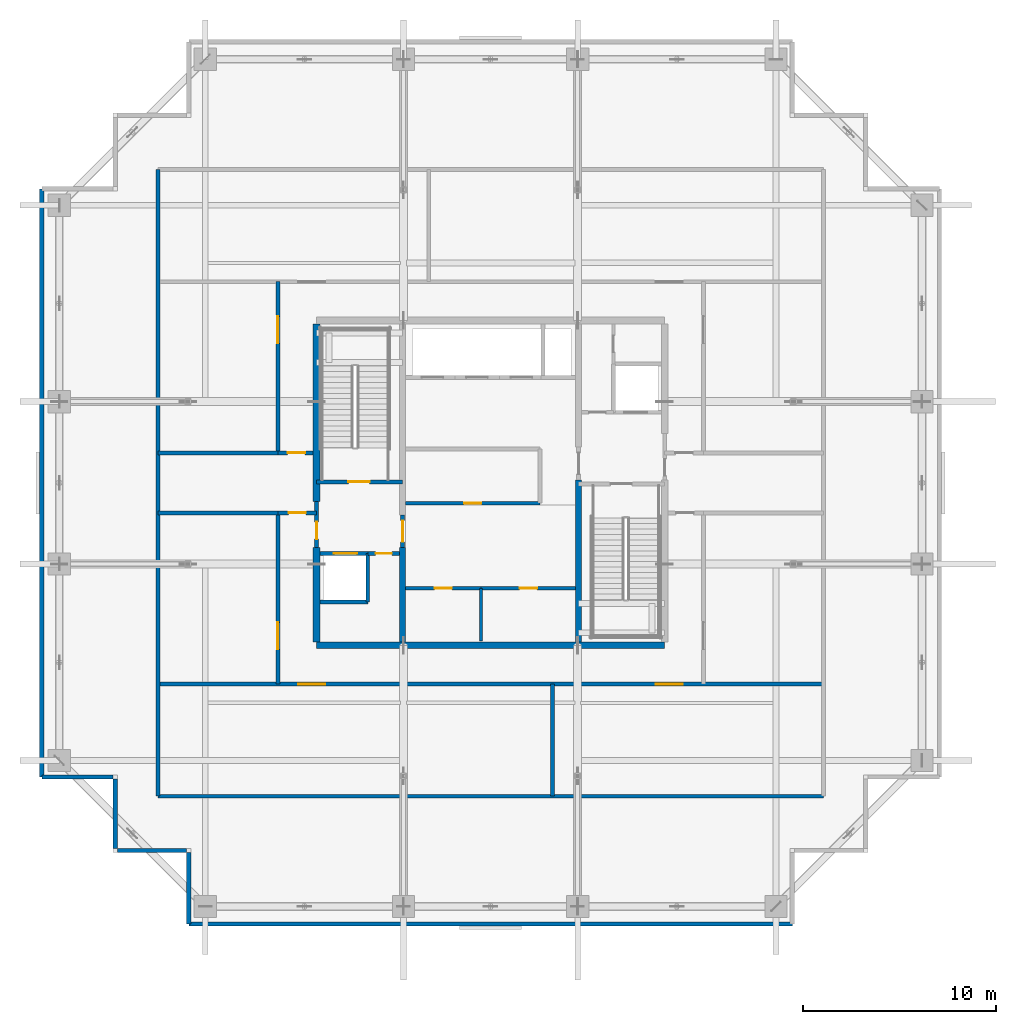
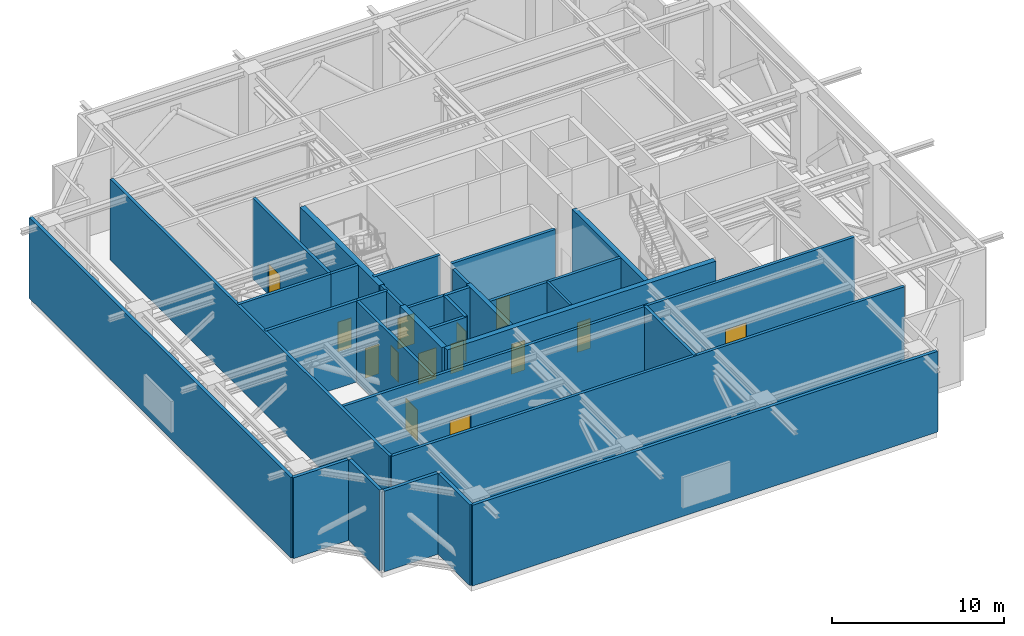
# One storey, part 15 of 22: 32 walls, 14 doors, 14 openings.
"""IFC4 building model written with IfcOpenShell, lengths in metres."""

import ifcopenshell
import ifcopenshell.guid

model = None  # the IFC model being written
_history = None  # IfcOwnerHistory: only IFC2X3 demands one
_inside = {}  # id of a spatial element -> (the spatial element, [elements in it])
_under = {}  # id of a project, library or spatial element -> (it, [spatial elements below it])
_declared = {}  # id of a project -> (the project, [libraries it declares])
_typed = {}  # id of a type object -> (the type object, [elements of that type])
_made_of = {}  # id of a material, layer set ... -> (it, [elements and type objects made of it])


def new_model(schema):
    """Start an empty IFC model of exactly this schema.

    Asked for "IFC4X3", IfcOpenShell would pick the latest addendum, in which some entities
    have other attributes; the version numbers below select the first issue.
    IFC2X3 requires an IfcOwnerHistory on every rooted entity: one is made here for all.
    """
    global model, _history
    if schema == "IFC4X3":
        model = ifcopenshell.file(schema_version=(4, 3, 0, 0))
    else:
        model = ifcopenshell.file(schema=schema)
    _inside.clear()
    _under.clear()
    _declared.clear()
    _typed.clear()
    _made_of.clear()
    _history = None
    if model.schema == "IFC2X3":
        org = make("IfcOrganization", Name="unknown")
        user = make(
            "IfcPersonAndOrganization",
            ThePerson=make("IfcPerson", FamilyName="unknown"),
            TheOrganization=org,
        )
        app = make(
            "IfcApplication",
            ApplicationDeveloper=org,
            Version="unknown",
            ApplicationFullName="unknown",
            ApplicationIdentifier="unknown",
        )
        _history = make(
            "IfcOwnerHistory",
            OwningUser=user,
            OwningApplication=app,
            ChangeAction="ADDED",
            CreationDate=0,
        )
    return model


def make(cls, **values):
    """One entity of the class cls with the attributes given. An attribute that is None is left unset."""
    return model.create_entity(
        cls, **{name: value for name, value in values.items() if value is not None}
    )


def rooted(cls, **values):
    """An entity with a GlobalId (a new one), such as an element, a storey or a relation."""
    return make(cls, GlobalId=ifcopenshell.guid.new(), OwnerHistory=_history, **values)


def si_unit(unit_type, name, prefix=None):
    """IfcSIUnit, for example si_unit("LENGTHUNIT", "METRE", prefix="MILLI")."""
    return make("IfcSIUnit", UnitType=unit_type, Prefix=prefix, Name=name)


def assignment(units):
    """IfcUnitAssignment: the units of a project."""
    return None if units is None else make("IfcUnitAssignment", Units=units)


def point(xyz):
    """IfcCartesianPoint."""
    return None if xyz is None else make("IfcCartesianPoint", Coordinates=xyz)


def direction(xyz):
    """IfcDirection."""
    return None if xyz is None else make("IfcDirection", DirectionRatios=xyz)


def frame(location, z_axis=None, x_axis=None):
    """IfcAxis2Placement3D, a coordinate frame: its origin and axes. An axis left out is left unset."""
    return make(
        "IfcAxis2Placement3D",
        Location=point(location),
        Axis=direction(z_axis),
        RefDirection=direction(x_axis),
    )


def frame_2d(location, x_axis=None):
    """IfcAxis2Placement2D, a coordinate frame in the plane: its origin and x axis."""
    return make(
        "IfcAxis2Placement2D", Location=point(location), RefDirection=direction(x_axis)
    )


def origin():
    """The frame at (0, 0, 0) with its axes left unset."""
    return frame((0.0, 0.0, 0.0))


def place(relative_to, where):
    """IfcLocalPlacement: puts the frame where relative to a parent placement (None: the world)."""
    return make(
        "IfcLocalPlacement", PlacementRelTo=relative_to, RelativePlacement=where
    )


def context(
    kind, dimensions, precision=None, world=None, true_north=None, identifier=None
):
    """IfcGeometricRepresentationContext, for example the 3D "Model" context."""
    return make(
        "IfcGeometricRepresentationContext",
        ContextIdentifier=identifier,
        ContextType=kind,
        CoordinateSpaceDimension=dimensions,
        Precision=precision,
        WorldCoordinateSystem=world,
        TrueNorth=true_north,
    )


def subcontext(parent, identifier, kind, view, scale=None):
    """IfcGeometricRepresentationSubContext, for example "Body" below "Model"."""
    return make(
        "IfcGeometricRepresentationSubContext",
        ContextIdentifier=identifier,
        ContextType=kind,
        ParentContext=parent,
        TargetScale=scale,
        TargetView=view,
    )


def project(units=None, contexts=None):
    """IfcProject with its units and contexts."""
    return rooted(
        "IfcProject",
        Name="project",
        RepresentationContexts=contexts,
        UnitsInContext=assignment(units),
    )


def spatial(cls, under=None, at=None, **own):
    """A site, building, storey or space (cls), placed at a placement, below another one or the project."""
    s = rooted(cls, ObjectPlacement=at, **own)
    if under is not None:
        _under.setdefault(under.id(), (under, []))[1].append(s)
    return s


def profile(cls, at=None, kind="AREA", **sizes):
    """A parametric profile (cls). Its sizes go by their IFC names, for example OverallWidth=200.0."""
    return make(cls, ProfileType=kind, Position=at, **sizes)


def rectangle(**sizes):
    """IfcRectangleProfileDef."""
    return profile("IfcRectangleProfileDef", **sizes)


def extrude(swept, where, along, depth):
    """IfcExtrudedAreaSolid: the profile swept, set in the frame where, extruded along a direction by depth."""
    return make(
        "IfcExtrudedAreaSolid",
        SweptArea=swept,
        Position=where,
        ExtrudedDirection=direction(along),
        Depth=depth,
    )


def shape(context_of_items, identifier, shape_type, items):
    """IfcShapeRepresentation: the items that make up one representation, for example the "Body"."""
    return make(
        "IfcShapeRepresentation",
        ContextOfItems=context_of_items,
        RepresentationIdentifier=identifier,
        RepresentationType=shape_type,
        Items=items,
    )


def source(mapping_origin, context_of_items, identifier, shape_type, items):
    """IfcRepresentationMap: a shape defined once, which mapped items show again and again."""
    return make(
        "IfcRepresentationMap",
        MappingOrigin=mapping_origin,
        MappedRepresentation=shape(context_of_items, identifier, shape_type, items),
    )


def transform(
    local_origin,
    x_axis=None,
    y_axis=None,
    z_axis=None,
    scale=None,
    scale2=None,
    scale3=None,
    uniform=True,
):
    """IfcCartesianTransformationOperator3D, or its non-uniform kind. x_axis, y_axis, z_axis: its Axis1, 2, 3."""
    if uniform:
        return make(
            "IfcCartesianTransformationOperator3D",
            Axis1=direction(x_axis),
            Axis2=direction(y_axis),
            LocalOrigin=point(local_origin),
            Scale=scale,
            Axis3=direction(z_axis),
        )
    return make(
        "IfcCartesianTransformationOperator3DnonUniform",
        Axis1=direction(x_axis),
        Axis2=direction(y_axis),
        LocalOrigin=point(local_origin),
        Scale=scale,
        Axis3=direction(z_axis),
        Scale2=scale2,
        Scale3=scale3,
    )


def mapped(mapping_source, mapping_target):
    """IfcMappedItem: shows the shape of a source again, moved by a transform."""
    return make(
        "IfcMappedItem", MappingSource=mapping_source, MappingTarget=mapping_target
    )


def material(Name=None, Category=None):
    """IfcMaterial."""
    return make("IfcMaterial", Name=Name, Category=Category)


def layer(
    of_material, thickness, ventilated=None, Name=None, Category=None, Priority=None
):
    """IfcMaterialLayer: one layer of a wall or slab, of a material (None: an air gap)."""
    return make(
        "IfcMaterialLayer",
        Material=of_material,
        LayerThickness=thickness,
        IsVentilated=ventilated,
        Name=Name,
        Category=Category,
        Priority=Priority,
    )


def layer_set(layers, Name=None):
    """IfcMaterialLayerSet."""
    return make("IfcMaterialLayerSet", MaterialLayers=layers, LayerSetName=Name)


def made_of(thing, what):
    """Note that an element or type object is made of a material, layer set ...; save() writes the relation."""
    if what is not None:
        _made_of.setdefault(what.id(), (what, []))[1].append(thing)
    return thing


def type_object(cls, material=None, **own):
    """A type object (cls), such as IfcWallType, which elements share."""
    return made_of(rooted(cls, **own), material)


def element(
    cls,
    number,
    at=None,
    inside=None,
    cuts=None,
    type_object=None,
    material=None,
    context=None,
    identifier="Body",
    shape_type=None,
    held_by="IfcProductDefinitionShape",
    body=None,
    shapes=None,
    **own,
):
    """One element of the class cls, such as IfcWall. Its Tag is "e" and its number.

    at: its placement. inside: the storey or other place that contains it. cuts: it is an
    opening in that element (IfcRelVoidsElement). A single representation is given by context,
    identifier, shape_type and body (its items); several are given by shapes. held_by: the class
    of the entity that holds the representations. save() writes the other relations.
    """
    e = rooted(cls, Tag="e%d" % number, ObjectPlacement=at, **own)
    if body is not None:
        shapes = [shape(context, identifier, shape_type, body)]
    if shapes is not None:
        e.Representation = make(held_by, Representations=shapes)
    if inside is not None:
        _inside.setdefault(inside.id(), (inside, []))[1].append(e)
    if cuts is not None:
        rooted(
            "IfcRelVoidsElement", RelatingBuildingElement=cuts, RelatedOpeningElement=e
        )
    if type_object is not None:
        _typed.setdefault(type_object.id(), (type_object, []))[1].append(e)
    return made_of(e, material)


def fill(opening, filler):
    """IfcRelFillsElement: the door or window that sits in an opening."""
    return rooted(
        "IfcRelFillsElement",
        RelatingOpeningElement=opening,
        RelatedBuildingElement=filler,
    )


def aggregate(whole, parts):
    """IfcRelAggregates: a whole, such as a stair, and the parts it consists of."""
    return rooted("IfcRelAggregates", RelatingObject=whole, RelatedObjects=parts)


def save(model, path):
    """Write the relations noted so far, then the file.

    IfcRelAggregates (storeys below a building ...), IfcRelContainedInSpatialStructure (elements
    in a storey), IfcRelDefinesByType, IfcRelAssociatesMaterial and IfcRelDeclares: one each for
    every whole, place, type object, material and project.
    """
    for whole, parts in _under.values():
        aggregate(whole, parts)
    for where, things in _inside.values():
        rooted(
            "IfcRelContainedInSpatialStructure",
            RelatedElements=things,
            RelatingStructure=where,
        )
    for kind, things in _typed.values():
        rooted("IfcRelDefinesByType", RelatedObjects=things, RelatingType=kind)
    for what, things in _made_of.values():
        rooted("IfcRelAssociatesMaterial", RelatedObjects=things, RelatingMaterial=what)
    for by, libraries in _declared.values():
        rooted("IfcRelDeclares", RelatingContext=by, RelatedDefinitions=libraries)
    model.write(path)


model = new_model("IFC4")

# Units and contexts
model_context = context("Model", 3, precision=1e-05, world=origin(), true_north=direction((0.0, 1.0)))
body_context = subcontext(model_context, "Body", "Model", "MODEL_VIEW")
ifc_project = project(units=[si_unit("LENGTHUNIT", "METRE"), si_unit("AREAUNIT", "SQUARE_METRE"), si_unit("VOLUMEUNIT", "CUBIC_METRE"), si_unit("PLANEANGLEUNIT", "RADIAN"), si_unit("MASSUNIT", "GRAM", prefix="KILO")], contexts=[model_context])

# Site, building, storey
site_placement = place(None, origin())
site = spatial("IfcSite", under=ifc_project, at=site_placement, CompositionType="ELEMENT")
building_placement = place(site_placement, origin())
building = spatial("IfcBuilding", under=site, at=building_placement, Name="Serunith Strait Residences", CompositionType="ELEMENT")
storey_placement = place(building_placement, frame((0.0, 0.0, 287.449951171875)))
storey = spatial("IfcBuildingStorey", under=building, at=storey_placement, Name="L72", CompositionType="ELEMENT", Elevation=287.449951171875)

# Walls
ifc_material_1 = material(Name="Pale-Champagne Aluminium Insulated Panel", Category="aluminium")
ifc_layer_1 = layer(ifc_material_1, 0.219970703125, Name="Pale-Champagne Aluminium Insulated Panel")
ifc_layer_set_1 = layer_set([ifc_layer_1], Name="Pale-Champagne Aluminium Insulated Panel")
wall_type_1 = type_object("IfcWallType", Name="EW-ALUM-220", PredefinedType="ELEMENTEDWALL", material=ifc_layer_set_1)
wall_1_placement = place(storey_placement, frame((16.800048828125, 2.39990234375, 0.0), z_axis=(0.0, 0.0, 1.0), x_axis=(1.0, 0.0, 0.0)))
element("IfcWall", 1, at=wall_1_placement, inside=storey, type_object=wall_type_1, Name="L72 S Outrigger Plant Acoustic Wall", PredefinedType="ELEMENTEDWALL", context=body_context, shape_type="SweptSolid", body=[
    extrude(rectangle(XDim=31.199951171875, YDim=0.219970703125, at=frame_2d((15.60009765625, 0.0))), origin(), (0.0, 0.0, 1.0), 5.72509765625),
])
wall_2_placement = place(storey_placement, frame((9.199951171875, 40.39990234375, 0.0), z_axis=(0.0, 0.0, 1.0), x_axis=(0.0, -1.0, 0.0)))
element("IfcWall", 2, at=wall_2_placement, inside=storey, type_object=wall_type_1, Name="L72 W Outrigger Plant Acoustic Wall", PredefinedType="ELEMENTEDWALL", context=body_context, shape_type="SweptSolid", body=[
    extrude(rectangle(XDim=30.39990234375, YDim=0.219970703125, at=frame_2d((15.199951171875, 0.0))), origin(), (0.0, 0.0, 1.0), 5.72509765625),
])
wall_3_placement = place(storey_placement, frame((9.199951171875, 10.0, 0.0), z_axis=(0.0, 0.0, 1.0), x_axis=(1.0, 0.0, 0.0)))
element("IfcWall", 3, at=wall_3_placement, inside=storey, type_object=wall_type_1, Name="L72 Girih Serrated Corner Wall 17", PredefinedType="ELEMENTEDWALL", context=body_context, shape_type="SweptSolid", body=[
    extrude(rectangle(XDim=3.68994140625, YDim=0.219970703125, at=frame_2d((1.844970703125, 0.0))), origin(), (0.0, 0.0, 1.0), 5.72509765625),
])
for number, where, z_axis, x_axis, name in (
    (4, (13.0, 9.889892578125, 0.0), (0.0, 0.0, 1.0), (0.0, -1.0, 0.0), "L72 Girih Serrated Corner Wall 18"),
    (5, (13.110107421875, 6.199951171875, 0.0), (0.0, 0.0, 1.0), (1.0, 0.0, 0.0), "L72 Girih Serrated Corner Wall 19"),
):
    element("IfcWall", number, at=place(storey_placement, frame(where, z_axis=z_axis, x_axis=x_axis)), inside=storey, type_object=wall_type_1, Name=name, PredefinedType="ELEMENTEDWALL", context=body_context, shape_type="SweptSolid", body=[
        extrude(rectangle(XDim=3.579833984375, YDim=0.219970703125, at=frame_2d((1.7900390625, 0.0))), origin(), (0.0, 0.0, 1.0), 5.72509765625),
    ])
wall_4_placement = place(storey_placement, frame((16.800048828125, 6.090087890625, 0.0), z_axis=(0.0, 0.0, 1.0), x_axis=(0.0, -1.0, 0.0)))
element("IfcWall", 6, at=wall_4_placement, inside=storey, type_object=wall_type_1, Name="L72 Girih Serrated Corner Wall 20", PredefinedType="ELEMENTEDWALL", context=body_context, shape_type="SweptSolid", body=[
    extrude(rectangle(XDim=3.690185546875, YDim=0.219970703125, at=frame_2d((1.84521484375, 0.0))), origin(), (0.0, 0.0, 1.0), 5.72509765625),
])
ifc_material_2 = material(Name="Fire-rated masonry service closet wall", Category="masonry")
ifc_layer_2 = layer(ifc_material_2, 0.14990234375, Name="Fire-rated masonry service closet wall")
ifc_layer_set_2 = layer_set([ifc_layer_2], Name="Fire-rated masonry service closet wall")
wall_type_2 = type_object("IfcWallType", Name="IW-BOH-150", PredefinedType="PARTITIONING", material=ifc_layer_set_2)
wall_5_placement = place(storey_placement, frame((31.89990234375, 17.02001953125, 0.0), z_axis=(0.0, 0.0, 1.0), x_axis=(0.0, 1.0, 0.0)))
element("IfcWall", 7, at=wall_5_placement, inside=storey, type_object=wall_type_2, Name="L72 Partition Wall 014", PredefinedType="PARTITIONING", context=body_context, shape_type="SweptSolid", body=[
    extrude(rectangle(XDim=2.72998046875, YDim=0.14990234375, at=frame_2d((1.364990234375, 0.0))), origin(), (0.0, 0.0, 1.0), 5.739990234375),
])
ifc_material_3 = material(Name="Acoustic concrete block plant wall", Category="concrete")
ifc_layer_3 = layer(ifc_material_3, 0.199951171875, Name="Acoustic concrete block plant wall")
ifc_layer_set_3 = layer_set([ifc_layer_3], Name="Acoustic concrete block plant wall")
wall_type_3 = type_object("IfcWallType", Name="IW-PLANT-200", PredefinedType="STANDARD", material=ifc_layer_set_3)
wall_6_placement = place(storey_placement, frame((15.199951171875, 9.0, 0.0), z_axis=(0.0, 0.0, 1.0), x_axis=(1.0, 0.0, 0.0)))
element("IfcWall", 8, at=wall_6_placement, inside=storey, type_object=wall_type_3, Name="L72 Partition Wall 018", PredefinedType="STANDARD", context=body_context, shape_type="SweptSolid", body=[
    extrude(rectangle(XDim=34.400146484375, YDim=0.199951171875, at=frame_2d((17.2001953125, 0.0))), origin(), (0.0, 0.0, 1.0), 5.739990234375),
])
wall_7_placement = place(storey_placement, frame((15.199951171875, 9.0, 0.0), z_axis=(0.0, 0.0, 1.0), x_axis=(0.0, 1.0, 0.0)))
element("IfcWall", 9, at=wall_7_placement, inside=storey, type_object=wall_type_3, Name="L72 Partition Wall 020", PredefinedType="STANDARD", context=body_context, shape_type="SweptSolid", body=[
    extrude(rectangle(XDim=32.39990234375, YDim=0.199951171875, at=frame_2d((16.199951171875, 0.0))), origin(), (0.0, 0.0, 1.0), 5.739990234375),
])
wall_8_placement = place(storey_placement, frame((15.199951171875, 23.64990234375, 0.0), z_axis=(0.0, 0.0, 1.0), x_axis=(1.0, 0.0, 0.0)))
element("IfcWall", 10, at=wall_8_placement, inside=storey, type_object=wall_type_3, Name="L72 Partition Wall 022", PredefinedType="STANDARD", context=body_context, shape_type="SweptSolid", body=[
    extrude(rectangle(XDim=6.199951171875, YDim=0.199951171875, at=frame_2d((3.10009765625, 0.0))), origin(), (0.0, 0.0, 1.0), 5.739990234375),
])

# Wall, opening, door
wall_9_placement = place(storey_placement, frame((21.402099609375, 23.64990234375, 0.0), z_axis=(0.0, 0.0, 1.0), x_axis=(1.0, 0.0, 0.0)))
wall_9 = element("IfcWall", 11, at=wall_9_placement, inside=storey, type_object=wall_type_3, Name="L72 Partition Wall 023", PredefinedType="STANDARD", context=body_context, shape_type="SweptSolid", body=[
    extrude(rectangle(XDim=1.997802734375, YDim=0.199951171875, at=frame_2d((0.9990234375, 0.0))), origin(), (0.0, 0.0, 1.0), 5.739990234375),
])
opening_1_placement = place(wall_9_placement, frame((0.549072265625, 0.0, 0.0)))
opening_1 = element("IfcOpeningElement", 12, at=opening_1_placement, cuts=wall_9, Name="Opening FD-900", PredefinedType="OPENING", context=body_context, shape_type="SweptSolid", body=[
    extrude(rectangle(XDim=0.89990234375, YDim=2.10009765625, at=frame_2d((0.449951171875, 1.050048828125))), frame((0.0, 0.10986328125, 0.0), z_axis=(0.0, -1.0, 0.0), x_axis=(1.0, 0.0, 0.0)), (0.0, 0.0, 1.0), 0.219970703125),
])
ifc_material_4 = material(Name="Powder-coated steel riser door", Category="steel")
door_type_1 = type_object("IfcDoorType", Name="FD-BOH-900", OperationType="NOTDEFINED", PredefinedType="DOOR", material=ifc_material_4)
shared_shape_1 = source(origin(), body_context, "Body", "SweptSolid", [
    extrude(rectangle(XDim=0.89990234375, YDim=2.10009765625, at=frame_2d((0.449951171875, 1.050048828125))), frame((0.0, 0.02490234375, 0.0), z_axis=(0.0, -1.0, 0.0), x_axis=(1.0, 0.0, 0.0)), (0.0, 0.0, 1.0), 0.050048828125),
])
door_1_placement = place(opening_1_placement, origin())
door_1 = element("IfcDoor", 13, at=door_1_placement, inside=storey, type_object=door_type_1, Name="L72 South-West Plant Corridor Door", OperationType="SINGLE_SWING_RIGHT", OverallHeight=2.10009765625, OverallWidth=0.89990234375, PredefinedType="DOOR", context=body_context, shape_type="MappedRepresentation", body=[
    mapped(shared_shape_1, transform((0.0, 0.0, 0.0), scale=1.0)),
])
fill(opening_1, door_1)

# Wall
wall_10_placement = place(storey_placement, frame((15.199951171875, 26.75, 0.0), z_axis=(0.0, 0.0, 1.0), x_axis=(1.0, 0.0, 0.0)))
element("IfcWall", 14, at=wall_10_placement, inside=storey, type_object=wall_type_3, Name="L72 Partition Wall 024", PredefinedType="STANDARD", context=body_context, shape_type="SweptSolid", body=[
    extrude(rectangle(XDim=6.199951171875, YDim=0.199951171875, at=frame_2d((3.10009765625, 0.0))), origin(), (0.0, 0.0, 1.0), 5.739990234375),
])

# Wall, opening, door
wall_11_placement = place(storey_placement, frame((21.402099609375, 26.75, 0.0), z_axis=(0.0, 0.0, 1.0), x_axis=(1.0, 0.0, 0.0)))
wall_11 = element("IfcWall", 15, at=wall_11_placement, inside=storey, type_object=wall_type_3, Name="L72 Partition Wall 025", PredefinedType="STANDARD", context=body_context, shape_type="SweptSolid", body=[
    extrude(rectangle(XDim=1.822998046875, YDim=0.199951171875, at=frame_2d((0.91162109375, 0.0))), origin(), (0.0, 0.0, 1.0), 5.739990234375),
])
opening_2_placement = place(wall_11_placement, frame((0.5048828125, 0.0, 0.0)))
opening_2 = element("IfcOpeningElement", 16, at=opening_2_placement, cuts=wall_11, Name="Opening FD-900", PredefinedType="OPENING", context=body_context, shape_type="SweptSolid", body=[
    extrude(rectangle(XDim=0.89990234375, YDim=2.10009765625, at=frame_2d((0.449951171875, 1.050048828125))), frame((0.0, 0.10986328125, 0.0), z_axis=(0.0, -1.0, 0.0), x_axis=(1.0, 0.0, 0.0)), (0.0, 0.0, 1.0), 0.219970703125),
])
door_2_placement = place(opening_2_placement, origin())
door_2 = element("IfcDoor", 17, at=door_2_placement, inside=storey, type_object=door_type_1, Name="L72 North-West Plant Corridor Door", OperationType="SINGLE_SWING_LEFT", OverallHeight=2.10009765625, OverallWidth=0.89990234375, PredefinedType="DOOR", context=body_context, shape_type="MappedRepresentation", body=[
    mapped(shared_shape_1, transform((0.0, 0.0, 0.0), scale=1.0)),
])
fill(opening_2, door_2)

# Wall, openings, doors
wall_12_placement = place(storey_placement, frame((15.199951171875, 14.800048828125, 0.0), z_axis=(0.0, 0.0, 1.0), x_axis=(1.0, 0.0, 0.0)))
wall_12 = element("IfcWall", 18, at=wall_12_placement, inside=storey, type_object=wall_type_3, Name="L72 Partition Wall 030", PredefinedType="STANDARD", context=body_context, shape_type="SweptSolid", body=[
    extrude(rectangle(XDim=34.400146484375, YDim=0.199951171875, at=frame_2d((17.2001953125, 0.0))), origin(), (0.0, 0.0, 1.0), 5.739990234375),
])
opening_3_placement = place(wall_12_placement, frame((7.260009765625, 0.0, 0.0)))
opening_3 = element("IfcOpeningElement", 19, at=opening_3_placement, cuts=wall_12, Name="Opening FD-1400", PredefinedType="OPENING", context=body_context, shape_type="SweptSolid", body=[
    extrude(rectangle(XDim=1.39990234375, YDim=2.199951171875, at=frame_2d((0.699951171875, 1.10009765625))), frame((0.0, 0.10986328125, 0.0), z_axis=(0.0, -1.0, 0.0), x_axis=(1.0, 0.0, 0.0)), (0.0, 0.0, 1.0), 0.219970703125),
])
opening_4_placement = place(wall_12_placement, frame((25.739990234375, 0.0, 0.0)))
opening_4 = element("IfcOpeningElement", 20, at=opening_4_placement, cuts=wall_12, Name="Opening FD-1400", PredefinedType="OPENING", context=body_context, shape_type="SweptSolid", body=[
    extrude(rectangle(XDim=1.39990234375, YDim=2.199951171875, at=frame_2d((0.699951171875, 1.10009765625))), frame((0.0, 0.10986328125, 0.0), z_axis=(0.0, -1.0, 0.0), x_axis=(1.0, 0.0, 0.0)), (0.0, 0.0, 1.0), 0.219970703125),
])
ifc_material_5 = material(Name="Acoustic double-skin steel plant door", Category="steel")
door_type_2 = type_object("IfcDoorType", Name="FD-PLANT-1400", OperationType="DOUBLE_DOOR_SINGLE_SWING", PredefinedType="DOOR", material=ifc_material_5)
shared_shape_2 = source(origin(), body_context, "Body", "SweptSolid", [
    extrude(rectangle(XDim=1.39990234375, YDim=2.199951171875, at=frame_2d((0.699951171875, 1.10009765625))), frame((0.0, 0.02490234375, 0.0), z_axis=(0.0, -1.0, 0.0), x_axis=(1.0, 0.0, 0.0)), (0.0, 0.0, 1.0), 0.050048828125),
])
door_3_placement = place(opening_3_placement, origin())
door_3 = element("IfcDoor", 21, at=door_3_placement, inside=storey, type_object=door_type_2, Name="L72 Chilled Water Plant Door", OperationType="DOUBLE_DOOR_SINGLE_SWING", OverallHeight=2.199951171875, OverallWidth=1.39990234375, PredefinedType="DOOR", context=body_context, shape_type="MappedRepresentation", body=[
    mapped(shared_shape_2, transform((0.0, 0.0, 0.0), scale=1.0)),
])
fill(opening_3, door_3)
door_4_placement = place(opening_4_placement, origin())
door_4 = element("IfcDoor", 22, at=door_4_placement, inside=storey, type_object=door_type_2, Name="L72 AHU Mechanical Plant Door", OperationType="DOUBLE_DOOR_SINGLE_SWING", OverallHeight=2.199951171875, OverallWidth=1.39990234375, PredefinedType="DOOR", context=body_context, shape_type="MappedRepresentation", body=[
    mapped(shared_shape_2, transform((0.0, 0.0, 0.0), scale=1.0)),
])
fill(opening_4, door_4)

# Wall
wall_13_placement = place(storey_placement, frame((35.60009765625, 9.0, 0.0), z_axis=(0.0, 0.0, 1.0), x_axis=(0.0, 1.0, 0.0)))
element("IfcWall", 23, at=wall_13_placement, inside=storey, type_object=wall_type_3, Name="L72 Partition Wall 032", PredefinedType="STANDARD", context=body_context, shape_type="SweptSolid", body=[
    extrude(rectangle(XDim=5.800048828125, YDim=0.199951171875, at=frame_2d((2.89990234375, 0.0))), origin(), (0.0, 0.0, 1.0), 5.739990234375),
])

# Wall, opening, door
wall_14_placement = place(storey_placement, frame((21.39990234375, 14.800048828125, 0.0), z_axis=(0.0, 0.0, 1.0), x_axis=(0.0, 1.0, 0.0)))
wall_14 = element("IfcWall", 24, at=wall_14_placement, inside=storey, type_object=wall_type_3, Name="L72 Partition Wall 034", PredefinedType="STANDARD", context=body_context, shape_type="SweptSolid", body=[
    extrude(rectangle(XDim=8.849853515625, YDim=0.199951171875, at=frame_2d((4.4248046875, 0.0))), origin(), (0.0, 0.0, 1.0), 5.739990234375),
])
opening_5_placement = place(wall_14_placement, frame((1.7880859375, 0.0, 0.0)))
opening_5 = element("IfcOpeningElement", 25, at=opening_5_placement, cuts=wall_14, Name="Opening FD-1400", PredefinedType="OPENING", context=body_context, shape_type="SweptSolid", body=[
    extrude(rectangle(XDim=1.39990234375, YDim=2.199951171875, at=frame_2d((0.699951171875, 1.10009765625))), frame((0.0, 0.10986328125, 0.0), z_axis=(0.0, -1.0, 0.0), x_axis=(1.0, 0.0, 0.0)), (0.0, 0.0, 1.0), 0.219970703125),
])
door_5_placement = place(opening_5_placement, origin())
door_5 = element("IfcDoor", 26, at=door_5_placement, inside=storey, type_object=door_type_2, Name="L72 South-West Fan Plant Door", OperationType="DOUBLE_DOOR_SINGLE_SWING", OverallHeight=2.199951171875, OverallWidth=1.39990234375, PredefinedType="DOOR", context=body_context, shape_type="MappedRepresentation", body=[
    mapped(shared_shape_2, transform((0.0, 0.0, 0.0), scale=1.0)),
])
fill(opening_5, door_5)

wall_15_placement = place(storey_placement, frame((21.39990234375, 26.75, 0.0), z_axis=(0.0, 0.0, 1.0), x_axis=(0.0, 1.0, 0.0)))
wall_15 = element("IfcWall", 27, at=wall_15_placement, inside=storey, type_object=wall_type_3, Name="L72 Partition Wall 035", PredefinedType="STANDARD", context=body_context, shape_type="SweptSolid", body=[
    extrude(rectangle(XDim=8.85009765625, YDim=0.199951171875, at=frame_2d((4.425048828125, 0.0))), origin(), (0.0, 0.0, 1.0), 5.739990234375),
])
opening_6_placement = place(wall_15_placement, frame((5.662109375, 0.0, 0.0)))
opening_6 = element("IfcOpeningElement", 28, at=opening_6_placement, cuts=wall_15, Name="Opening FD-1400", PredefinedType="OPENING", context=body_context, shape_type="SweptSolid", body=[
    extrude(rectangle(XDim=1.39990234375, YDim=2.199951171875, at=frame_2d((0.699951171875, 1.10009765625))), frame((0.0, 0.10986328125, 0.0), z_axis=(0.0, -1.0, 0.0), x_axis=(1.0, 0.0, 0.0)), (0.0, 0.0, 1.0), 0.219970703125),
])
door_6_placement = place(opening_6_placement, origin())
door_6 = element("IfcDoor", 29, at=door_6_placement, inside=storey, type_object=door_type_2, Name="L72 North-West Fan Plant Door", OperationType="DOUBLE_DOOR_SINGLE_SWING", OverallHeight=2.199951171875, OverallWidth=1.39990234375, PredefinedType="DOOR", context=body_context, shape_type="MappedRepresentation", body=[
    mapped(shared_shape_2, transform((0.0, 0.0, 0.0), scale=1.0)),
])
fill(opening_6, door_6)

ifc_material_6 = material(Name="Autoclaved aerated concrete blockwork", Category="masonry")
ifc_layer_4 = layer(ifc_material_6, 0.199951171875, Name="Autoclaved aerated concrete blockwork")
ifc_layer_set_4 = layer_set([ifc_layer_4], Name="Autoclaved aerated concrete blockwork")
wall_type_4 = type_object("IfcWallType", Name="IW-SHAFT-200", PredefinedType="STANDARD", material=ifc_layer_set_4)
wall_16_placement = place(storey_placement, frame((23.39990234375, 25.25, 0.0), z_axis=(0.0, 0.0, 1.0), x_axis=(1.0, 0.0, 0.0)))
wall_16 = element("IfcWall", 30, at=wall_16_placement, inside=storey, type_object=wall_type_4, Name="L72 ST-1 South Shaft Wall", PredefinedType="STANDARD", context=body_context, shape_type="SweptSolid", body=[
    extrude(rectangle(XDim=4.4501953125, YDim=0.199951171875, at=frame_2d((2.22509765625, 0.0))), origin(), (0.0, 0.0, 1.0), 5.739990234375),
])
opening_7_placement = place(wall_16_placement, frame((1.64990234375, 0.0, 0.0)))
opening_7 = element("IfcOpeningElement", 31, at=opening_7_placement, cuts=wall_16, Name="Opening FD-1100", PredefinedType="OPENING", context=body_context, shape_type="SweptSolid", body=[
    extrude(rectangle(XDim=1.10009765625, YDim=2.14990234375, at=frame_2d((0.550048828125, 1.074951171875))), frame((0.0, 0.10986328125, 0.0), z_axis=(0.0, -1.0, 0.0), x_axis=(1.0, 0.0, 0.0)), (0.0, 0.0, 1.0), 0.219970703125),
])
ifc_material_7 = material(Name="Galvanised steel fire door leaf", Category="steel")
door_type_3 = type_object("IfcDoorType", Name="FD-STAIR-1100", OperationType="NOTDEFINED", PredefinedType="DOOR", material=ifc_material_7)
shared_shape_3 = source(origin(), body_context, "Body", "SweptSolid", [
    extrude(rectangle(XDim=1.10009765625, YDim=2.14990234375, at=frame_2d((0.550048828125, 1.074951171875))), frame((0.0, 0.02490234375, 0.0), z_axis=(0.0, -1.0, 0.0), x_axis=(1.0, 0.0, 0.0)), (0.0, 0.0, 1.0), 0.050048828125),
])
door_7_placement = place(opening_7_placement, origin())
door_7 = element("IfcDoor", 32, at=door_7_placement, inside=storey, type_object=door_type_3, Name="L72 ST-1 Escape Stair Door", OperationType="SINGLE_SWING_RIGHT", OverallHeight=2.14990234375, OverallWidth=1.10009765625, PredefinedType="DOOR", context=body_context, shape_type="MappedRepresentation", body=[
    mapped(shared_shape_3, transform((0.0, 0.0, 0.0), scale=1.0)),
])
fill(opening_7, door_7)

wall_17_placement = place(storey_placement, frame((23.574951171875, 21.550048828125, 0.0), z_axis=(0.0, 0.0, 1.0), x_axis=(1.0, 0.0, 0.0)))
wall_17 = element("IfcWall", 33, at=wall_17_placement, inside=storey, type_object=wall_type_4, Name="L72 FL-1 North Shaft Wall", PredefinedType="STANDARD", context=body_context, shape_type="SweptSolid", body=[
    extrude(rectangle(XDim=2.47509765625, YDim=0.199951171875, at=frame_2d((1.237548828125, 0.0))), origin(), (0.0, 0.0, 1.0), 5.739990234375),
])
opening_8_placement = place(wall_17_placement, frame((0.72509765625, 0.0, 0.0)))
opening_8 = element("IfcOpeningElement", 34, at=opening_8_placement, cuts=wall_17, Name="Opening LD-FF1200", PredefinedType="OPENING", context=body_context, shape_type="SweptSolid", body=[
    extrude(rectangle(XDim=1.199951171875, YDim=2.199951171875, at=frame_2d((0.60009765625, 1.10009765625))), frame((0.0, 0.10986328125, 0.0), z_axis=(0.0, -1.0, 0.0), x_axis=(1.0, 0.0, 0.0)), (0.0, 0.0, 1.0), 0.219970703125),
])
ifc_material_8 = material(Name="Brushed stainless steel landing door", Category="steel")
door_type_4 = type_object("IfcDoorType", Name="LD-FF-1200", OperationType="DOUBLE_DOOR_SLIDING", PredefinedType="DOOR", material=ifc_material_8)
shared_shape_4 = source(origin(), body_context, "Body", "SweptSolid", [
    extrude(rectangle(XDim=1.199951171875, YDim=2.199951171875, at=frame_2d((0.60009765625, 1.10009765625))), frame((0.0, 0.02490234375, 0.0), z_axis=(0.0, -1.0, 0.0), x_axis=(1.0, 0.0, 0.0)), (0.0, 0.0, 1.0), 0.050048828125),
])
door_8_placement = place(opening_8_placement, origin())
door_8 = element("IfcDoor", 35, at=door_8_placement, inside=storey, type_object=door_type_4, Name="L72 FL-1 Landing Door", OperationType="DOUBLE_DOOR_SLIDING", OverallHeight=2.199951171875, OverallWidth=1.199951171875, PredefinedType="DOOR", context=body_context, shape_type="MappedRepresentation", body=[
    mapped(shared_shape_4, transform((0.0, 0.0, 0.0), scale=1.0)),
])
fill(opening_8, door_8)

# Walls
wall_18_placement = place(storey_placement, frame((26.050048828125, 19.050048828125, 0.0), z_axis=(0.0, 0.0, 1.0), x_axis=(0.0, 1.0, 0.0)))
element("IfcWall", 36, at=wall_18_placement, inside=storey, type_object=wall_type_4, Name="L72 Partition Wall 001", PredefinedType="STANDARD", context=body_context, shape_type="SweptSolid", body=[
    extrude(rectangle(XDim=2.5, YDim=0.199951171875, at=frame_2d((1.25, 0.0))), origin(), (0.0, 0.0, 1.0), 5.739990234375),
])
wall_19_placement = place(storey_placement, frame((23.574951171875, 19.050048828125, 0.0), z_axis=(0.0, 0.0, 1.0), x_axis=(1.0, 0.0, 0.0)))
element("IfcWall", 37, at=wall_19_placement, inside=storey, type_object=wall_type_4, Name="L72 Partition Wall 002", PredefinedType="STANDARD", context=body_context, shape_type="SweptSolid", body=[
    extrude(rectangle(XDim=2.47509765625, YDim=0.199951171875, at=frame_2d((1.237548828125, 0.0))), origin(), (0.0, 0.0, 1.0), 5.739990234375),
])

# Wall, opening, door
wall_20_placement = place(storey_placement, frame((26.052001953125, 21.550048828125, 0.0), z_axis=(0.0, 0.0, 1.0), x_axis=(1.0, 0.0, 0.0)))
wall_20 = element("IfcWall", 38, at=wall_20_placement, inside=storey, type_object=wall_type_4, Name="L72 Partition Wall 003", PredefinedType="STANDARD", context=body_context, shape_type="SweptSolid", body=[
    extrude(rectangle(XDim=1.64794921875, YDim=0.199951171875, at=frame_2d((0.823974609375, 0.0))), origin(), (0.0, 0.0, 1.0), 5.739990234375),
])
opening_9_placement = place(wall_20_placement, frame((0.39892578125, 0.0, 0.0)))
opening_9 = element("IfcOpeningElement", 39, at=opening_9_placement, cuts=wall_20, Name="Opening FD-850", PredefinedType="OPENING", context=body_context, shape_type="SweptSolid", body=[
    extrude(rectangle(XDim=0.85009765625, YDim=2.10009765625, at=frame_2d((0.425048828125, 1.050048828125))), frame((0.0, 0.10986328125, 0.0), z_axis=(0.0, -1.0, 0.0), x_axis=(1.0, 0.0, 0.0)), (0.0, 0.0, 1.0), 0.219970703125),
])
ifc_material_9 = material(Name="Powder-coated steel service closet door", Category="steel")
door_type_5 = type_object("IfcDoorType", Name="FD-BOH-850", OperationType="NOTDEFINED", PredefinedType="DOOR", material=ifc_material_9)
shared_shape_5 = source(origin(), body_context, "Body", "SweptSolid", [
    extrude(rectangle(XDim=0.85009765625, YDim=2.10009765625, at=frame_2d((0.425048828125, 1.050048828125))), frame((0.0, 0.02490234375, 0.0), z_axis=(0.0, -1.0, 0.0), x_axis=(1.0, 0.0, 0.0)), (0.0, 0.0, 1.0), 0.050048828125),
])
door_9_placement = place(opening_9_placement, origin())
door_9 = element("IfcDoor", 40, at=door_9_placement, inside=storey, type_object=door_type_5, Name="L72 South-West Core Service Door", OperationType="SINGLE_SWING_RIGHT", OverallHeight=2.10009765625, OverallWidth=0.85009765625, PredefinedType="DOOR", context=body_context, shape_type="MappedRepresentation", body=[
    mapped(shared_shape_5, transform((0.0, 0.0, 0.0), scale=1.0)),
])
fill(opening_9, door_9)

wall_21_placement = place(storey_placement, frame((23.39990234375, 21.85205078125, 0.0), z_axis=(0.0, 0.0, 1.0), x_axis=(0.0, 1.0, 0.0)))
wall_21 = element("IfcWall", 41, at=wall_21_placement, inside=storey, type_object=wall_type_4, Name="L72 Partition Wall 007", PredefinedType="STANDARD", context=body_context, shape_type="SweptSolid", body=[
    extrude(rectangle(XDim=2.39599609375, YDim=0.199951171875, at=frame_2d((1.197998046875, 0.0))), origin(), (0.0, 0.0, 1.0), 5.739990234375),
])
opening_10_placement = place(wall_21_placement, frame((0.43701171875, 0.0, 0.0)))
opening_10 = element("IfcOpeningElement", 42, at=opening_10_placement, cuts=wall_21, Name="Opening FD-900", PredefinedType="OPENING", context=body_context, shape_type="SweptSolid", body=[
    extrude(rectangle(XDim=0.89990234375, YDim=2.10009765625, at=frame_2d((0.449951171875, 1.050048828125))), frame((0.0, 0.10986328125, 0.0), z_axis=(0.0, -1.0, 0.0), x_axis=(1.0, 0.0, 0.0)), (0.0, 0.0, 1.0), 0.219970703125),
])
door_10_placement = place(opening_10_placement, origin())
door_10 = element("IfcDoor", 43, at=door_10_placement, inside=storey, type_object=door_type_1, Name="L72 FFL-1 Corridor Fire Door", OperationType="SINGLE_SWING_RIGHT", OverallHeight=2.10009765625, OverallWidth=0.89990234375, PredefinedType="DOOR", context=body_context, shape_type="MappedRepresentation", body=[
    mapped(shared_shape_1, transform((0.0, 0.0, 0.0), scale=1.0)),
])
fill(opening_10, door_10)

wall_22_placement = place(storey_placement, frame((27.85009765625, 21.85205078125, 0.0), z_axis=(0.0, 0.0, 1.0), x_axis=(0.0, 1.0, 0.0)))
wall_22 = element("IfcWall", 44, at=wall_22_placement, inside=storey, type_object=wall_type_4, Name="L72 Partition Wall 009", PredefinedType="STANDARD", context=body_context, shape_type="SweptSolid", body=[
    extrude(rectangle(XDim=1.696044921875, YDim=0.199951171875, at=frame_2d((0.84814453125, 0.0))), origin(), (0.0, 0.0, 1.0), 5.739990234375),
])
opening_11_placement = place(wall_22_placement, frame((0.298095703125, 0.0, 0.0)))
opening_11 = element("IfcOpeningElement", 45, at=opening_11_placement, cuts=wall_22, Name="Opening FD-FFL", PredefinedType="OPENING", context=body_context, shape_type="SweptSolid", body=[
    extrude(rectangle(XDim=1.10009765625, YDim=2.14990234375, at=frame_2d((0.550048828125, 1.074951171875))), frame((0.0, 0.10986328125, 0.0), z_axis=(0.0, -1.0, 0.0), x_axis=(1.0, 0.0, 0.0)), (0.0, 0.0, 1.0), 0.219970703125),
])
ifc_material_10 = material(Name="Glazed steel smoke-lobby fire door", Category="steel")
door_type_6 = type_object("IfcDoorType", Name="FD-FFL-1100", OperationType="NOTDEFINED", PredefinedType="DOOR", material=ifc_material_10)
door_11_placement = place(opening_11_placement, origin())
door_11 = element("IfcDoor", 46, at=door_11_placement, inside=storey, type_object=door_type_6, Name="L72 FFL-1 Lift Lobby Door", OperationType="SINGLE_SWING_RIGHT", OverallHeight=2.14990234375, OverallWidth=1.10009765625, PredefinedType="DOOR", context=body_context, shape_type="MappedRepresentation", body=[
    mapped(shared_shape_3, transform((0.0, 0.0, 0.0), scale=1.0)),
])
fill(opening_11, door_11)

wall_23_placement = place(storey_placement, frame((28.0, 19.75, 0.0), z_axis=(0.0, 0.0, 1.0), x_axis=(1.0, 0.0, 0.0)))
wall_23 = element("IfcWall", 47, at=wall_23_placement, inside=storey, type_object=wall_type_4, Name="L72 Partition Wall 012", PredefinedType="STANDARD", context=body_context, shape_type="SweptSolid", body=[
    extrude(rectangle(XDim=3.89990234375, YDim=0.199951171875, at=frame_2d((1.949951171875, 0.0))), origin(), (0.0, 0.0, 1.0), 5.739990234375),
])
opening_12_placement = place(wall_23_placement, frame((1.5, 0.0, 0.0)))
opening_12 = element("IfcOpeningElement", 48, at=opening_12_placement, cuts=wall_23, Name="Opening FD-900", PredefinedType="OPENING", context=body_context, shape_type="SweptSolid", body=[
    extrude(rectangle(XDim=0.89990234375, YDim=2.10009765625, at=frame_2d((0.449951171875, 1.050048828125))), frame((0.0, 0.10986328125, 0.0), z_axis=(0.0, -1.0, 0.0), x_axis=(1.0, 0.0, 0.0)), (0.0, 0.0, 1.0), 0.219970703125),
])
door_12_placement = place(opening_12_placement, origin())
door_12 = element("IfcDoor", 49, at=door_12_placement, inside=storey, type_object=door_type_1, Name="L72 Housekeeping Store Door", OperationType="SINGLE_SWING_LEFT", OverallHeight=2.10009765625, OverallWidth=0.89990234375, PredefinedType="DOOR", context=body_context, shape_type="MappedRepresentation", body=[
    mapped(shared_shape_1, transform((0.0, 0.0, 0.0), scale=1.0)),
])
fill(opening_12, door_12)

wall_24_placement = place(storey_placement, frame((31.902099609375, 19.75, 0.0), z_axis=(0.0, 0.0, 1.0), x_axis=(1.0, 0.0, 0.0)))
wall_24 = element("IfcWall", 50, at=wall_24_placement, inside=storey, type_object=wall_type_4, Name="L72 Partition Wall 013", PredefinedType="STANDARD", context=body_context, shape_type="SweptSolid", body=[
    extrude(rectangle(XDim=4.89794921875, YDim=0.199951171875, at=frame_2d((2.448974609375, 0.0))), origin(), (0.0, 0.0, 1.0), 5.739990234375),
])
opening_13_placement = place(wall_24_placement, frame((1.9990234375, 0.0, 0.0)))
opening_13 = element("IfcOpeningElement", 51, at=opening_13_placement, cuts=wall_24, Name="Opening FD-900", PredefinedType="OPENING", context=body_context, shape_type="SweptSolid", body=[
    extrude(rectangle(XDim=0.89990234375, YDim=2.10009765625, at=frame_2d((0.449951171875, 1.050048828125))), frame((0.0, 0.10986328125, 0.0), z_axis=(0.0, -1.0, 0.0), x_axis=(1.0, 0.0, 0.0)), (0.0, 0.0, 1.0), 0.219970703125),
])
door_13_placement = place(opening_13_placement, origin())
door_13 = element("IfcDoor", 52, at=door_13_placement, inside=storey, type_object=door_type_1, Name="L72 High-Rise Meter Door", OperationType="SINGLE_SWING_RIGHT", OverallHeight=2.10009765625, OverallWidth=0.89990234375, PredefinedType="DOOR", context=body_context, shape_type="MappedRepresentation", body=[
    mapped(shared_shape_1, transform((0.0, 0.0, 0.0), scale=1.0)),
])
fill(opening_13, door_13)

wall_25_placement = place(storey_placement, frame((28.0, 24.14990234375, 0.0), z_axis=(0.0, 0.0, 1.0), x_axis=(1.0, 0.0, 0.0)))
wall_25 = element("IfcWall", 53, at=wall_25_placement, inside=storey, type_object=wall_type_4, Name="L72 Partition Wall 017", PredefinedType="STANDARD", context=body_context, shape_type="SweptSolid", body=[
    extrude(rectangle(XDim=6.949951171875, YDim=0.199951171875, at=frame_2d((3.47509765625, 0.0))), origin(), (0.0, 0.0, 1.0), 5.739990234375),
])
opening_14_placement = place(wall_25_placement, frame((3.02490234375, 0.0, 0.0)))
opening_14 = element("IfcOpeningElement", 54, at=opening_14_placement, cuts=wall_25, Name="Opening FD-900", PredefinedType="OPENING", context=body_context, shape_type="SweptSolid", body=[
    extrude(rectangle(XDim=0.89990234375, YDim=2.10009765625, at=frame_2d((0.449951171875, 1.050048828125))), frame((0.0, 0.10986328125, 0.0), z_axis=(0.0, -1.0, 0.0), x_axis=(1.0, 0.0, 0.0)), (0.0, 0.0, 1.0), 0.219970703125),
])
door_14_placement = place(opening_14_placement, origin())
door_14 = element("IfcDoor", 55, at=door_14_placement, inside=storey, type_object=door_type_1, Name="L72 Heat Exchanger Plant Door", OperationType="SINGLE_SWING_LEFT", OverallHeight=2.10009765625, OverallWidth=0.89990234375, PredefinedType="DOOR", context=body_context, shape_type="MappedRepresentation", body=[
    mapped(shared_shape_1, transform((0.0, 0.0, 0.0), scale=1.0)),
])
fill(opening_14, door_14)

# Walls
ifc_material_11 = material(Name="Concrete C60/75", Category="concrete")
ifc_layer_5 = layer(ifc_material_11, 0.300048828125, Name="Concrete C60/75")
ifc_layer_set_5 = layer_set([ifc_layer_5], Name="Concrete C60/75")
wall_type_5 = type_object("IfcWallType", Name="SW-300-C60", PredefinedType="SHEAR", material=ifc_layer_set_5)
wall_26_placement = place(storey_placement, frame((27.85009765625, 16.97509765625, -0.43994140625), z_axis=(0.0, 0.0, 1.0), x_axis=(0.0, 1.0, 0.0)))
element("IfcWall", 56, at=wall_26_placement, inside=storey, type_object=wall_type_5, Name="L72 Core Internal West Web South Pier", PredefinedType="SHEAR", context=body_context, shape_type="SweptSolid", body=[
    extrude(rectangle(XDim=4.875, YDim=0.300048828125, at=frame_2d((2.4375, 0.0))), origin(), (0.0, 0.0, 1.0), 6.177978515625),
])
wall_27_placement = place(storey_placement, frame((36.949951171875, 16.97509765625, -0.43994140625), z_axis=(0.0, 0.0, 1.0), x_axis=(0.0, 1.0, 0.0)))
element("IfcWall", 57, at=wall_27_placement, inside=storey, type_object=wall_type_5, Name="L72 Core Internal East Web South Pier", PredefinedType="SHEAR", context=body_context, shape_type="SweptSolid", body=[
    extrude(rectangle(XDim=8.375, YDim=0.300048828125, at=frame_2d((4.1875, 0.0))), origin(), (0.0, 0.0, 1.0), 6.177978515625),
])
ifc_layer_6 = layer(ifc_material_11, 0.35009765625, Name="Concrete C60/75")
ifc_layer_set_6 = layer_set([ifc_layer_6], Name="Concrete C60/75")
wall_type_6 = type_object("IfcWallType", Name="SW-350-C60", PredefinedType="SHEAR", material=ifc_layer_set_6)
wall_28_placement = place(storey_placement, frame((23.39990234375, 16.800048828125, -0.43994140625), z_axis=(0.0, 0.0, 1.0), x_axis=(1.0, 0.0, 0.0)))
element("IfcWall", 58, at=wall_28_placement, inside=storey, type_object=wall_type_6, Name="L72 Core South Shear Wall", PredefinedType="SHEAR", context=body_context, shape_type="SweptSolid", body=[
    extrude(rectangle(XDim=18.0, YDim=0.35009765625, at=frame_2d((9.0, 0.0))), origin(), (0.0, 0.0, 1.0), 6.177978515625),
])
wall_29_placement = place(storey_placement, frame((23.39990234375, 16.97509765625, -0.43994140625), z_axis=(0.0, 0.0, 1.0), x_axis=(0.0, 1.0, 0.0)))
element("IfcWall", 59, at=wall_29_placement, inside=storey, type_object=wall_type_6, Name="L72 Core West Shear Wall South Pier", PredefinedType="SHEAR", context=body_context, shape_type="SweptSolid", body=[
    extrude(rectangle(XDim=4.875, YDim=0.35009765625, at=frame_2d((2.4375, 0.0))), origin(), (0.0, 0.0, 1.0), 6.177978515625),
])
wall_30_placement = place(storey_placement, frame((23.39990234375, 24.25, -0.43994140625), z_axis=(0.0, 0.0, 1.0), x_axis=(0.0, 1.0, 0.0)))
element("IfcWall", 60, at=wall_30_placement, inside=storey, type_object=wall_type_6, Name="L72 Core West Shear Wall North Pier", PredefinedType="SHEAR", context=body_context, shape_type="SweptSolid", body=[
    extrude(rectangle(XDim=9.175048828125, YDim=0.35009765625, at=frame_2d((4.58740234375, 0.0))), origin(), (0.0, 0.0, 1.0), 6.177978515625),
])

save(model, "model.ifc")
